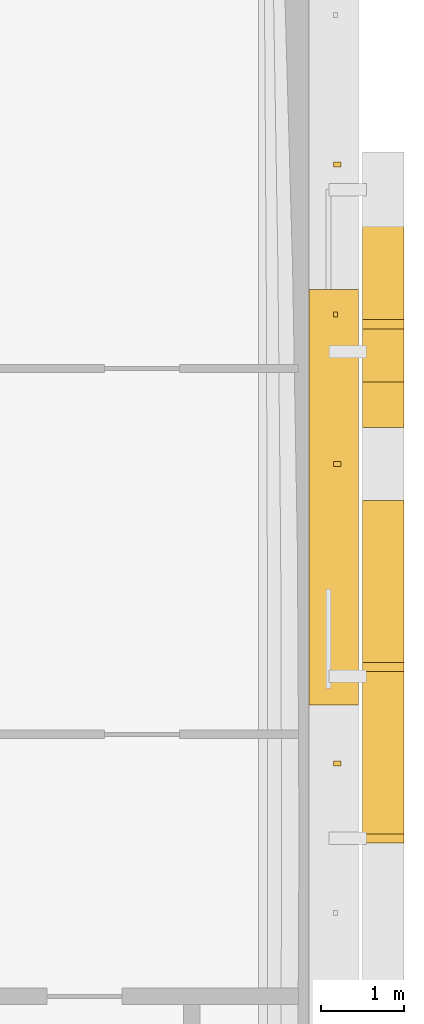
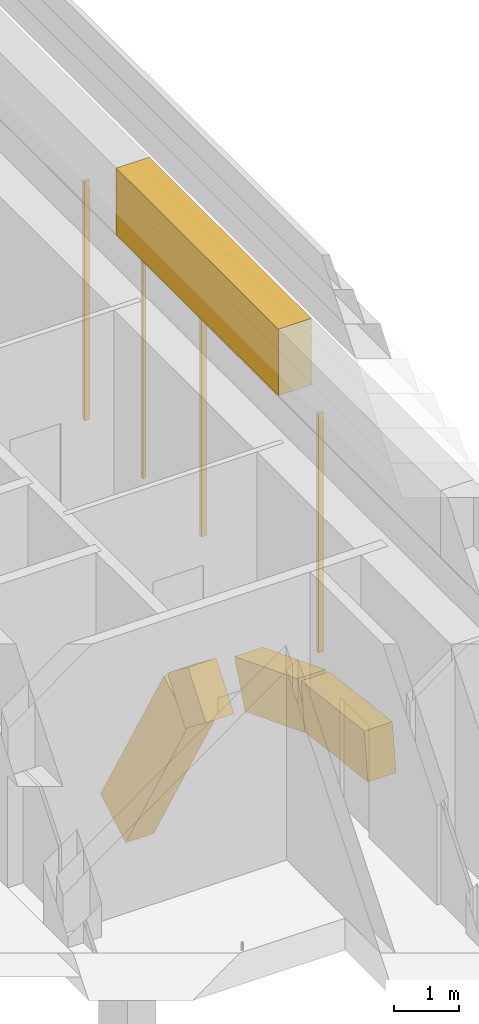
# One storey, part 33 of 38: 9 coverings.
"""IFC4 building model written with IfcOpenShell, lengths in metres."""

from ifc_helpers import new_model, si_unit, direction, frame, origin, origin_2d, place, context, subcontext, project, spatial, polyline, rectangle, outline, extrude, material, material_profile, profile_set, type_object, element, save


model = new_model("IFC4")

# Units and contexts
model_context = context("Model", 3, precision=1e-05, world=origin(), true_north=direction((0.0, 1.0)))
body_context = subcontext(model_context, "Body", "Model", "MODEL_VIEW")
ifc_project = project(units=[si_unit("LENGTHUNIT", "METRE"), si_unit("AREAUNIT", "SQUARE_METRE"), si_unit("VOLUMEUNIT", "CUBIC_METRE"), si_unit("PLANEANGLEUNIT", "RADIAN"), si_unit("MASSUNIT", "GRAM", prefix="KILO")], contexts=[model_context])

# Site, building, storey
site_placement = place(None, origin())
site = spatial("IfcSite", under=ifc_project, at=site_placement, CompositionType="ELEMENT")
building_placement = place(site_placement, origin())
building = spatial("IfcBuilding", under=site, at=building_placement, Name="Cobrizo Arcos Hotel Tower", CompositionType="ELEMENT")
storey_placement = place(building_placement, frame((0.0, 0.0, 138.0)))
storey = spatial("IfcBuildingStorey", under=building, at=storey_placement, Name="L35", CompositionType="ELEMENT", Elevation=138.0)

# Coverings
ifc_material = material(Name="Aluminium 6063-T6 anodised pale", Category="aluminium")
ifc_material_profile = material_profile(ifc_material, rectangle(XDim=0.5, YDim=0.89990234375, at=origin_2d()), Name="AF-2 core arch rim 500x900")
ifc_profile_set = profile_set([ifc_material_profile], Name="Aluminium 6063-T6 anodised pale")
covering_type_1 = type_object("IfcCoveringType", Name="AF-2 core arch rim 500x900", PredefinedType="CLADDING", material=ifc_profile_set)
covering_1_placement = place(storey_placement, frame((23.699951171875, 0.0, -1.5400390625), z_axis=(0.0, 0.992631300505, -0.121173847251), x_axis=(-1.0, 0.0, 0.0)))
element("IfcCovering", 1, at=covering_1_placement, inside=storey, type_object=covering_type_1, Name="Arch rim B E face", PredefinedType="CLADDING", context=body_context, shape_type="SweptSolid", body=[
    extrude(rectangle(XDim=0.5, YDim=0.89990234375, at=origin_2d()), origin(), (0.0, 0.0, 1.0), 1.96435546875),
])
covering_2_placement = place(storey_placement, frame((23.699951171875, 1.949951171875, -1.778076171875), z_axis=(0.0, 0.931493782789, -0.363757244087), x_axis=(-1.0, 0.0, 0.0)))
element("IfcCovering", 2, at=covering_2_placement, inside=storey, type_object=covering_type_1, Name="Arch rim B E face", PredefinedType="CLADDING", context=body_context, shape_type="SweptSolid", body=[
    extrude(rectangle(XDim=0.5, YDim=0.89990234375, at=origin_2d()), origin(), (0.0, 0.0, 1.0), 2.09326171875),
])
covering_3_placement = place(storey_placement, frame((23.699951171875, 5.21533203125, -3.54736328125), z_axis=(0.0, 0.793802879778, -0.60817512943), x_axis=(-1.0, 0.0, 0.0)))
element("IfcCovering", 3, at=covering_3_placement, inside=storey, type_object=covering_type_1, Name="Arch rim B E face", PredefinedType="CLADDING", context=body_context, shape_type="SweptSolid", body=[
    extrude(rectangle(XDim=0.5, YDim=0.89990234375, at=origin_2d()), origin(), (0.0, 0.0, 1.0), 0.799560546875),
])
covering_4_placement = place(storey_placement, frame((23.699951171875, 5.85009765625, -4.03369140625), z_axis=(0.0, 0.497621047013, -0.867394543198), x_axis=(-1.0, 0.0, 0.0)))
element("IfcCovering", 4, at=covering_4_placement, inside=storey, type_object=covering_type_1, Name="Arch rim B E face", PredefinedType="CLADDING", context=body_context, shape_type="SweptSolid", body=[
    extrude(rectangle(XDim=0.5, YDim=0.89990234375, at=origin_2d()), origin(), (0.0, 0.0, 1.0), 3.91845703125),
])
covering_type_2 = type_object("IfcCoveringType", Name="LF-1 setback skirt", PredefinedType="CLADDING", material=ifc_material)
covering_5_placement = place(storey_placement, frame((0.0, 0.0, 4.5)))
element("IfcCovering", 5, at=covering_5_placement, inside=storey, type_object=covering_type_2, Name="Setback skirt L35", PredefinedType="CLADDING", context=body_context, shape_type="SweptSolid", body=[
    extrude(outline(polyline([(22.81005859375, 6.60009765625), (22.81005859375, 1.60009765625), (23.39990234375, 1.60009765625), (23.39990234375, 6.60009765625), (22.81005859375, 6.60009765625)])), origin(), (0.0, 0.0, 1.0), 1.25),
])
covering_type_3 = type_object("IfcCoveringType", Name="RS-1 rainscreen rib 60x90", PredefinedType="CLADDING", material=ifc_material)
for number, where, z_axis, x_axis, name in (
    (6, (23.14501953125, 0.89990234375, 0.0), (0.0, 0.0, 1.0), (0.0, 1.0, 0.0), "Rainscreen rib 46"),
    (7, (23.14501953125, 4.5, 0.0), (0.0, 0.0, 1.0), (0.0, 1.0, 0.0), "Rainscreen rib 47"),
    (8, (23.14501953125, 8.10009765625, 0.0), (0.0, 0.0, 1.0), (0.0, 1.0, 0.0), "Rainscreen rib 49"),
):
    element("IfcCovering", number, at=place(storey_placement, frame(where, z_axis=z_axis, x_axis=x_axis)), inside=storey, type_object=covering_type_3, Name=name, PredefinedType="CLADDING", context=body_context, shape_type="SweptSolid", body=[
        extrude(rectangle(XDim=0.06005859375, YDim=0.090087890625, at=origin_2d()), origin(), (0.0, 0.0, 1.0), 4.5),
    ])
covering_type_4 = type_object("IfcCoveringType", Name="RS-2 rainscreen rib 60x50", PredefinedType="CLADDING", material=ifc_material)
covering_6_placement = place(storey_placement, frame((23.125, 6.300048828125, 0.0), z_axis=(0.0, 0.0, 1.0), x_axis=(0.0, 1.0, 0.0)))
element("IfcCovering", 9, at=covering_6_placement, inside=storey, type_object=covering_type_4, Name="Rainscreen rib 48", PredefinedType="CLADDING", context=body_context, shape_type="SweptSolid", body=[
    extrude(rectangle(XDim=0.06005859375, YDim=0.050048828125, at=origin_2d()), origin(), (0.0, 0.0, 1.0), 4.5),
])

save(model, "model.ifc")
